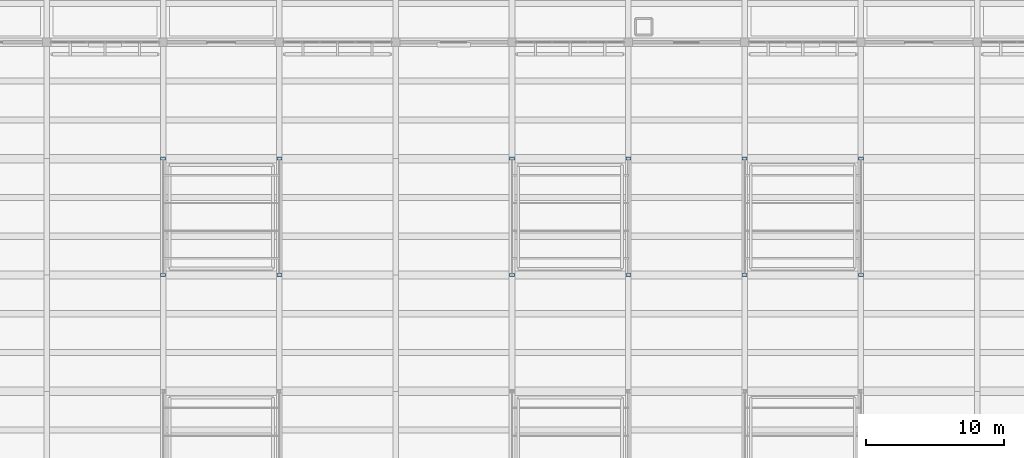
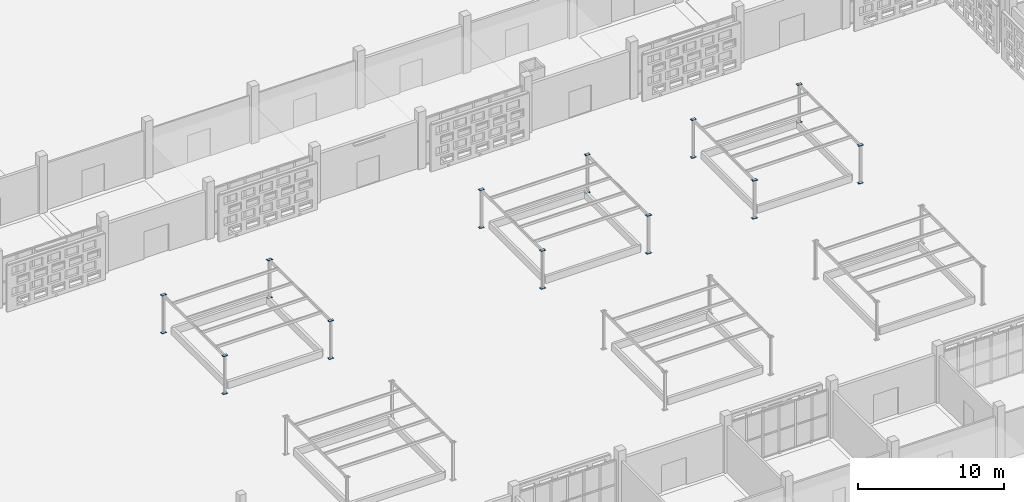
# One storey, part 55 of 129: 24 plates.
"""IFC4 building model written with IfcOpenShell, lengths in metres."""

from ifc_helpers import new_model, si_unit, direction, frame, origin, origin_2d, place, context, subcontext, project, spatial, rectangle, extrude, material, layer, layer_set, type_object, element, save


model = new_model("IFC4")

# Units and contexts
model_context = context("Model", 3, precision=1e-05, world=origin(), true_north=direction((0.0, 1.0)))
body_context = subcontext(model_context, "Body", "Model", "MODEL_VIEW")
ifc_project = project(units=[si_unit("LENGTHUNIT", "METRE"), si_unit("AREAUNIT", "SQUARE_METRE"), si_unit("VOLUMEUNIT", "CUBIC_METRE"), si_unit("PLANEANGLEUNIT", "RADIAN"), si_unit("MASSUNIT", "GRAM", prefix="KILO")], contexts=[model_context])

# Site, building, storey
site_placement = place(None, origin())
site = spatial("IfcSite", under=ifc_project, at=site_placement, CompositionType="ELEMENT")
building_placement = place(site_placement, origin())
building = spatial("IfcBuilding", under=site, at=building_placement, Name="Varnapada Polytechnic", CompositionType="ELEMENT")
storey_placement = place(building_placement, origin())
storey = spatial("IfcBuildingStorey", under=building, at=storey_placement, Name="L00", CompositionType="ELEMENT", Elevation=0.0)

# Plates
ifc_material = material(Name="Steel S355", Category="steel")
ifc_layer = layer(ifc_material, 0.01611328125)
ifc_layer_set = layer_set([ifc_layer], Name="Steel S355")
plate_type = type_object("IfcPlateType", Name="Plate BP-07", PredefinedType="SHEET", material=ifc_layer_set)
for number, where, z_axis, x_axis, name in (
    (1, (67.199951171875, 67.199951171875, 0.001953125), (0.0, 0.0, 1.0), (1.0, 0.0, 0.0), "Courtyard trellis post plate CT-BED-4.1.1.B"),
    (2, (67.199951171875, 67.199951171875, 3.171875), (0.0, 0.0, 1.0), (1.0, 0.0, 0.0), "Courtyard trellis post plate CT-BED-4.1.1.T"),
    (3, (67.199951171875, 75.60009765625, 0.001953125), (0.0, 0.0, 1.0), (1.0, 0.0, 0.0), "Courtyard trellis post plate CT-BED-4.1.2.B"),
    (4, (67.199951171875, 75.60009765625, 3.171875), (0.0, 0.0, 1.0), (1.0, 0.0, 0.0), "Courtyard trellis post plate CT-BED-4.1.2.T"),
    (5, (75.60009765625, 67.199951171875, 0.001953125), (0.0, 0.0, 1.0), (1.0, 0.0, 0.0), "Courtyard trellis post plate CT-BED-4.2.1.B"),
    (6, (75.60009765625, 67.199951171875, 3.171875), (0.0, 0.0, 1.0), (1.0, 0.0, 0.0), "Courtyard trellis post plate CT-BED-4.2.1.T"),
    (7, (75.60009765625, 75.60009765625, 0.001953125), (0.0, 0.0, 1.0), (1.0, 0.0, 0.0), "Courtyard trellis post plate CT-BED-4.2.2.B"),
    (8, (75.60009765625, 75.60009765625, 3.171875), (0.0, 0.0, 1.0), (1.0, 0.0, 0.0), "Courtyard trellis post plate CT-BED-4.2.2.T"),
    (9, (92.39990234375, 67.199951171875, 0.001953125), (0.0, 0.0, 1.0), (1.0, 0.0, 0.0), "Courtyard trellis post plate CT-BED-5.1.1.B"),
    (10, (92.39990234375, 67.199951171875, 3.171875), (0.0, 0.0, 1.0), (1.0, 0.0, 0.0), "Courtyard trellis post plate CT-BED-5.1.1.T"),
    (11, (92.39990234375, 75.60009765625, 0.001953125), (0.0, 0.0, 1.0), (1.0, 0.0, 0.0), "Courtyard trellis post plate CT-BED-5.1.2.B"),
    (12, (92.39990234375, 75.60009765625, 3.171875), (0.0, 0.0, 1.0), (1.0, 0.0, 0.0), "Courtyard trellis post plate CT-BED-5.1.2.T"),
    (13, (100.800048828125, 67.199951171875, 0.001953125), (0.0, 0.0, 1.0), (1.0, 0.0, 0.0), "Courtyard trellis post plate CT-BED-5.2.1.B"),
    (14, (100.800048828125, 67.199951171875, 3.171875), (0.0, 0.0, 1.0), (1.0, 0.0, 0.0), "Courtyard trellis post plate CT-BED-5.2.1.T"),
    (15, (100.800048828125, 75.60009765625, 0.001953125), (0.0, 0.0, 1.0), (1.0, 0.0, 0.0), "Courtyard trellis post plate CT-BED-5.2.2.B"),
    (16, (100.800048828125, 75.60009765625, 3.171875), (0.0, 0.0, 1.0), (1.0, 0.0, 0.0), "Courtyard trellis post plate CT-BED-5.2.2.T"),
    (17, (109.199951171875, 67.199951171875, 0.001953125), (0.0, 0.0, 1.0), (1.0, 0.0, 0.0), "Courtyard trellis post plate CT-BED-6.1.1.B"),
    (18, (109.199951171875, 67.199951171875, 3.171875), (0.0, 0.0, 1.0), (1.0, 0.0, 0.0), "Courtyard trellis post plate CT-BED-6.1.1.T"),
    (19, (109.199951171875, 75.60009765625, 0.001953125), (0.0, 0.0, 1.0), (1.0, 0.0, 0.0), "Courtyard trellis post plate CT-BED-6.1.2.B"),
    (20, (109.199951171875, 75.60009765625, 3.171875), (0.0, 0.0, 1.0), (1.0, 0.0, 0.0), "Courtyard trellis post plate CT-BED-6.1.2.T"),
    (21, (117.60009765625, 67.199951171875, 0.001953125), (0.0, 0.0, 1.0), (1.0, 0.0, 0.0), "Courtyard trellis post plate CT-BED-6.2.1.B"),
    (22, (117.60009765625, 67.199951171875, 3.171875), (0.0, 0.0, 1.0), (1.0, 0.0, 0.0), "Courtyard trellis post plate CT-BED-6.2.1.T"),
    (23, (117.60009765625, 75.60009765625, 0.001953125), (0.0, 0.0, 1.0), (1.0, 0.0, 0.0), "Courtyard trellis post plate CT-BED-6.2.2.B"),
    (24, (117.60009765625, 75.60009765625, 3.171875), (0.0, 0.0, 1.0), (1.0, 0.0, 0.0), "Courtyard trellis post plate CT-BED-6.2.2.T"),
):
    element("IfcPlate", number, at=place(storey_placement, frame(where, z_axis=z_axis, x_axis=x_axis)), inside=storey, type_object=plate_type, Name=name, PredefinedType="SHEET", context=body_context, shape_type="SweptSolid", body=[
        extrude(rectangle(XDim=0.360107421875, YDim=0.219970703125, at=origin_2d()), origin(), (0.0, 0.0, 1.0), 0.01611328125),
    ])

save(model, "model.ifc")
